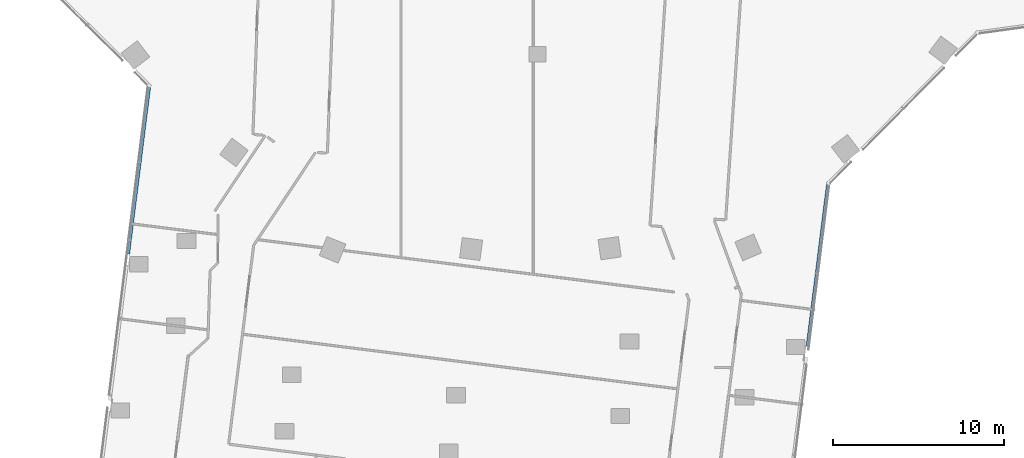
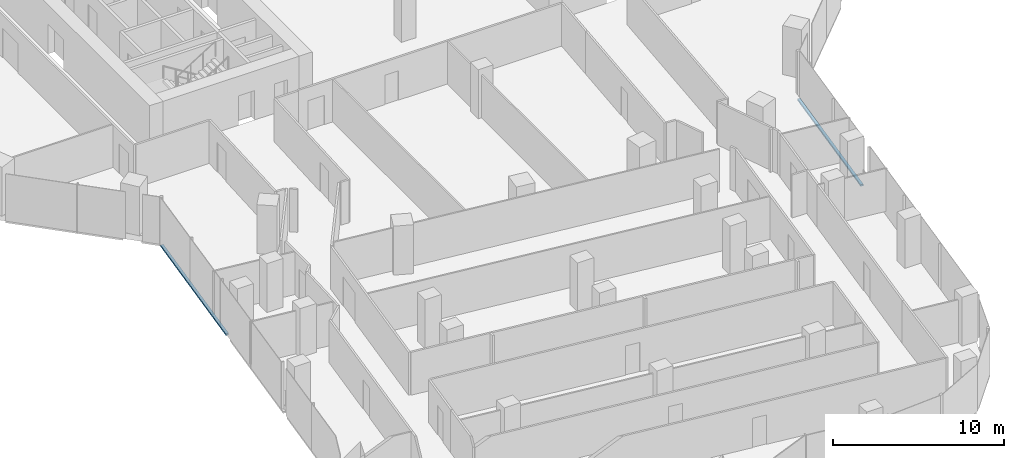
# One storey, part 5 of 27: 2 members, 2 elements without a shape of their own.
"""IFC4 building model written with IfcOpenShell, lengths in metres."""

from ifc_helpers import new_model, si_unit, direction, frame, origin, origin_2d, place, context, subcontext, project, spatial, rectangle, extrude, material, material_profile, profile_set, type_object, element, aggregate, save


model = new_model("IFC4")

# Units and contexts
model_context = context("Model", 3, precision=1e-05, world=origin(), true_north=direction((0.0, 1.0)))
body_context = subcontext(model_context, "Body", "Model", "MODEL_VIEW")
ifc_project = project(units=[si_unit("LENGTHUNIT", "METRE"), si_unit("AREAUNIT", "SQUARE_METRE"), si_unit("VOLUMEUNIT", "CUBIC_METRE"), si_unit("PLANEANGLEUNIT", "RADIAN"), si_unit("MASSUNIT", "GRAM", prefix="KILO")], contexts=[model_context])

# Site, building, storey
site_placement = place(None, origin())
site = spatial("IfcSite", under=ifc_project, at=site_placement, CompositionType="ELEMENT")
building_placement = place(site_placement, origin())
building = spatial("IfcBuilding", under=site, at=building_placement, Name="Orlundy Tower", CompositionType="ELEMENT")
storey_placement = place(building_placement, frame((0.0, 0.0, 192.10009765625)))
storey = spatial("IfcBuildingStorey", under=building, at=storey_placement, Name="L50", CompositionType="ELEMENT", Elevation=192.10009765625)

# Curtain wall, member
ifc_material_1 = material(Name="Aluminium bronze anodised", Category="aluminium")
curtain_wall_type = type_object("IfcCurtainWallType", Name="CW1 wall", PredefinedType="NOTDEFINED", material=ifc_material_1)
curtain_wall_1_placement = place(storey_placement, origin())
curtain_wall_1 = element("IfcCurtainWall", 1, at=curtain_wall_1_placement, inside=storey, type_object=curtain_wall_type, Name="CW1 run 00", PredefinedType="NOTDEFINED")
ifc_material_2 = material(Name="Aluminium bronze anodised", Category="aluminium")
ifc_material_profile = material_profile(ifc_material_2, rectangle(XDim=0.179931640625, YDim=0.1201171875, at=origin_2d()), Name="CW1 transom 180x120")
ifc_profile_set = profile_set([ifc_material_profile], Name="Aluminium bronze anodised")
member_type = type_object("IfcMemberType", Name="CW1 transom 180x120", PredefinedType="USERDEFINED", material=ifc_profile_set)
member_1_placement = place(storey_placement, frame((-23.98583984375, -29.721923828125, -0.360107421875), z_axis=(0.124763301609, 0.992186534162, 0.0), x_axis=(-0.992186534162, 0.124763301609, 0.0)))
member_1 = element("IfcMember", 2, at=member_1_placement, type_object=member_type, Name="CW1 transom", ObjectType="TRANSOM", PredefinedType="USERDEFINED", context=body_context, shape_type="SweptSolid", body=[
    extrude(rectangle(XDim=0.179931640625, YDim=0.1201171875, at=origin_2d()), origin(), (0.0, 0.0, 1.0), 9.8564453125),
])
aggregate(curtain_wall_1, [member_1])

curtain_wall_2_placement = place(storey_placement, origin())
curtain_wall_2 = element("IfcCurtainWall", 3, at=curtain_wall_2_placement, inside=storey, type_object=curtain_wall_type, Name="CW1 run 018", PredefinedType="NOTDEFINED")
member_2_placement = place(storey_placement, frame((17.021240234375, -25.660888671875, -0.360107421875), z_axis=(-0.124736970208, -0.99218984487, 0.0), x_axis=(0.99218984487, -0.124736970208, 0.0)))
member_2 = element("IfcMember", 4, at=member_2_placement, type_object=member_type, Name="CW1 transom", ObjectType="TRANSOM", PredefinedType="USERDEFINED", context=body_context, shape_type="SweptSolid", body=[
    extrude(rectangle(XDim=0.179931640625, YDim=0.1201171875, at=origin_2d()), origin(), (0.0, 0.0, 1.0), 9.54150390625),
])
aggregate(curtain_wall_2, [member_2])

save(model, "model.ifc")
